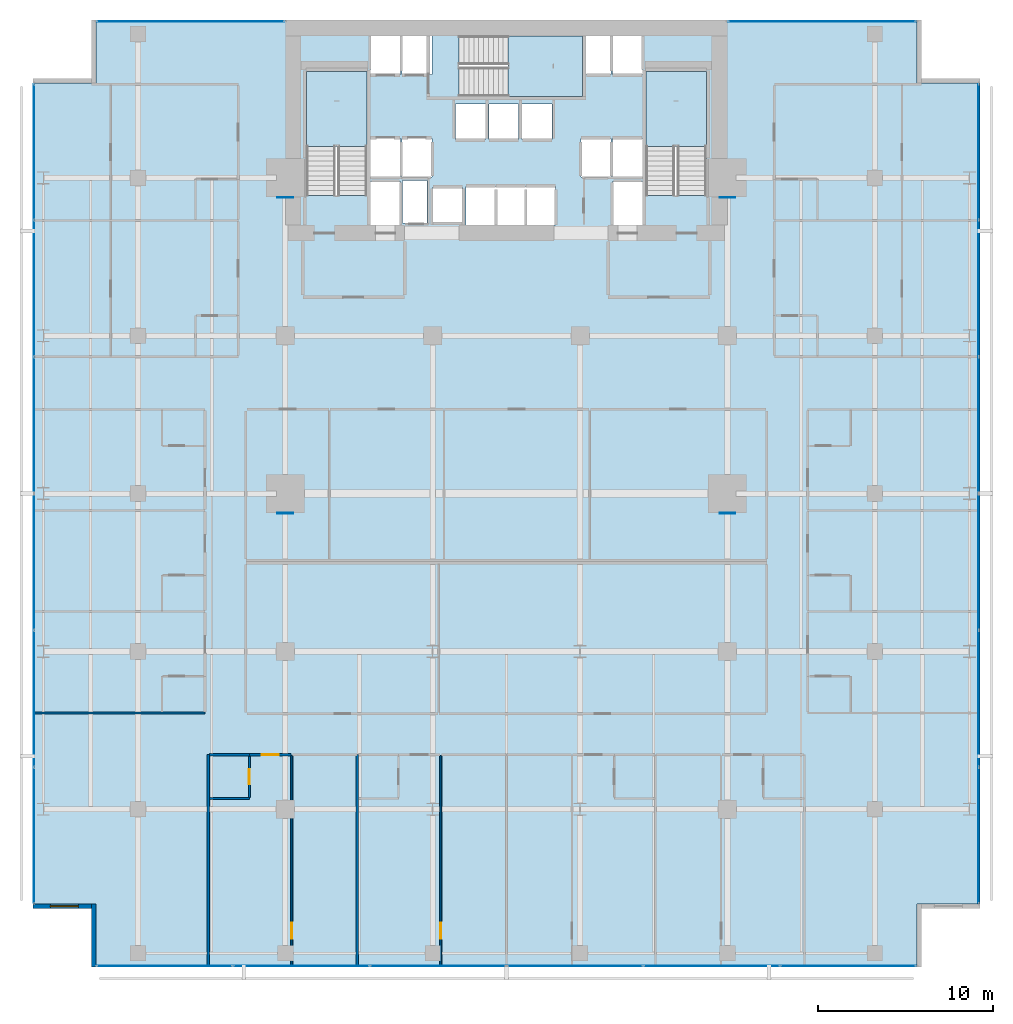
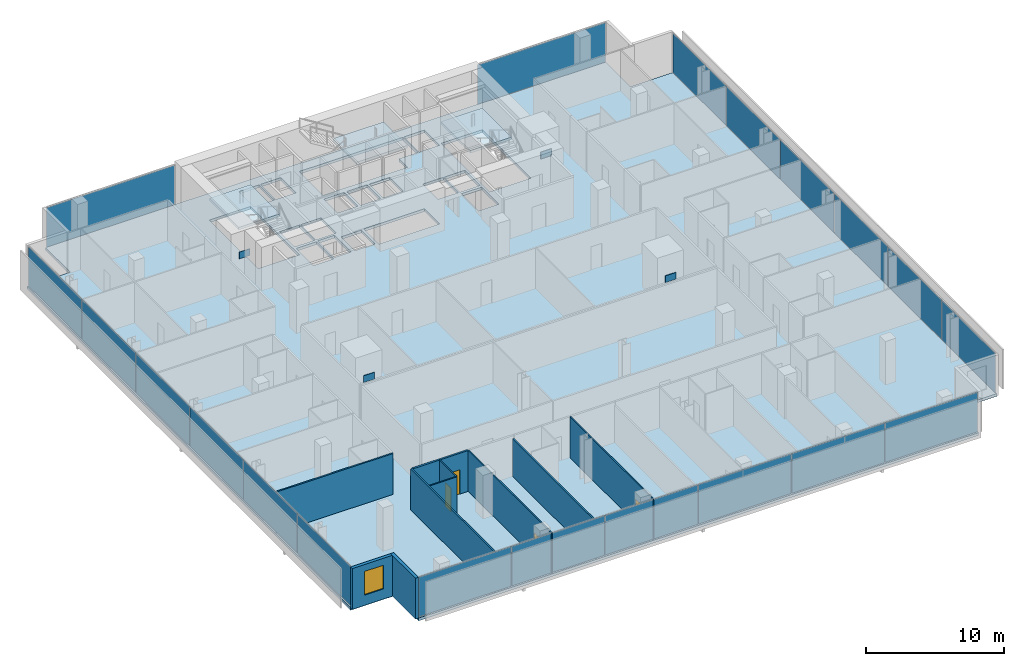
# One storey, part 32 of 40: 24 plates, 11 walls, 4 doors, 4 slabs, 1 window, 5 openings, 8 elements without a shape of their own.
"""IFC4 building model written with IfcOpenShell, lengths in metres."""

from ifc_helpers import new_model, si_unit, direction, frame, frame_2d, origin, origin_2d, place, context, subcontext, project, spatial, polyline, rectangle, outline, extrude, material, layer, layer_set, type_object, element, fill, aggregate, save


model = new_model("IFC4")

# Units and contexts
model_context = context("Model", 3, precision=1e-05, world=origin(), true_north=direction((0.0, 1.0)))
body_context = subcontext(model_context, "Body", "Model", "MODEL_VIEW")
ifc_project = project(units=[si_unit("LENGTHUNIT", "METRE"), si_unit("AREAUNIT", "SQUARE_METRE"), si_unit("VOLUMEUNIT", "CUBIC_METRE"), si_unit("PLANEANGLEUNIT", "RADIAN"), si_unit("MASSUNIT", "GRAM", prefix="KILO")], contexts=[model_context])

# Site, building, storey
site_placement = place(None, origin())
site = spatial("IfcSite", under=ifc_project, at=site_placement, CompositionType="ELEMENT")
building_placement = place(site_placement, origin())
building = spatial("IfcBuilding", under=site, at=building_placement, Name="Maruvema Waterfront Hotel and Observation Tower", CompositionType="ELEMENT")
storey_placement = place(building_placement, frame((0.0, 0.0, 92.39990234375)))
storey = spatial("IfcBuildingStorey", under=building, at=storey_placement, Name="L22", CompositionType="ELEMENT", Elevation=92.39990234375)

# Slab
ifc_material_1 = material(Name="Concrete C50/60", Category="concrete")
ifc_layer_1 = layer(ifc_material_1, 0.239990234375, Name="Reinforced Concrete Floor Slab 240 mm")
ifc_layer_set_1 = layer_set([ifc_layer_1], Name="Concrete C50/60")
slab_type_1 = type_object("IfcSlabType", Name="Reinforced Concrete Floor Slab 240 mm", PredefinedType="FLOOR", material=ifc_layer_set_1)
slab_1_placement = place(storey_placement, frame((0.0, 0.0, -0.239990234375)))
element("IfcSlab", 1, at=slab_1_placement, inside=storey, type_object=slab_type_1, Name="L22 Structural Floor Slab", PredefinedType="FLOOR", context=body_context, shape_type="SweptSolid", body=[
    extrude(outline(polyline([(14.39990234375, 0.0), (61.199951171875, 0.0), (61.199951171875, 3.60009765625), (64.800048828125, 3.60009765625), (64.800048828125, 50.39990234375), (61.199951171875, 50.39990234375), (61.199951171875, 54.0), (14.39990234375, 54.0), (14.39990234375, 50.39990234375), (10.800048828125, 50.39990234375), (10.800048828125, 3.60009765625), (14.39990234375, 3.60009765625), (14.39990234375, 0.0)]), holes=[polyline([(26.39990234375, 44.00048828125), (26.39990234375, 51.050048828125), (29.85009765625, 51.050048828125), (29.85009765625, 44.00048828125), (26.39990234375, 44.00048828125)]), polyline([(30.050048828125, 44.800048828125), (31.75, 44.800048828125), (31.75, 42.320068359375), (30.050048828125, 42.320068359375), (30.050048828125, 44.800048828125)]), polyline([(31.75, 47.25), (31.75, 45.050048828125), (30.050048828125, 45.050048828125), (30.050048828125, 47.25), (31.75, 47.25)]), polyline([(31.75, 53.10009765625), (31.75, 50.89990234375), (30.050048828125, 50.89990234375), (30.050048828125, 53.10009765625), (31.75, 53.10009765625)]), polyline([(33.280029296875, 44.860107421875), (33.280029296875, 42.43994140625), (31.8798828125, 42.43994140625), (31.8798828125, 44.860107421875), (33.280029296875, 44.860107421875)]), polyline([(31.85009765625, 47.25), (33.550048828125, 47.25), (33.550048828125, 45.050048828125), (31.85009765625, 45.050048828125), (31.85009765625, 47.25)]), polyline([(31.85009765625, 53.10009765625), (33.550048828125, 53.10009765625), (33.550048828125, 50.89990234375), (31.85009765625, 50.89990234375), (31.85009765625, 53.10009765625)]), polyline([(33.60009765625, 44.449951171875), (35.300048828125, 44.449951171875), (35.300048828125, 42.449951171875), (33.60009765625, 42.449951171875), (33.60009765625, 44.449951171875)]), polyline([(34.89990234375, 49.199951171875), (36.60009765625, 49.199951171875), (36.60009765625, 47.199951171875), (34.89990234375, 47.199951171875), (34.89990234375, 49.199951171875)]), polyline([(38.5, 49.199951171875), (38.5, 47.199951171875), (36.800048828125, 47.199951171875), (36.800048828125, 49.199951171875), (38.5, 49.199951171875)]), polyline([(35.5, 44.5), (40.60009765625, 44.5), (40.60009765625, 42.300048828125), (35.5, 42.300048828125), (35.5, 44.5)]), polyline([(43.75, 50.89990234375), (42.14990234375, 50.89990234375), (42.14990234375, 49.64990234375), (35.1005859375, 49.64990234375), (35.1005859375, 53.10009765625), (43.75, 53.10009765625), (43.75, 50.89990234375)]), polyline([(40.39990234375, 49.199951171875), (40.39990234375, 47.199951171875), (38.699951171875, 47.199951171875), (38.699951171875, 49.199951171875), (40.39990234375, 49.199951171875)]), polyline([(43.75, 47.25), (43.75, 45.050048828125), (42.050048828125, 45.050048828125), (42.050048828125, 47.25), (43.75, 47.25)]), polyline([(45.550048828125, 44.800048828125), (45.550048828125, 42.320068359375), (43.85009765625, 42.320068359375), (43.85009765625, 44.800048828125), (45.550048828125, 44.800048828125)]), polyline([(43.85009765625, 47.25), (45.550048828125, 47.25), (45.550048828125, 45.050048828125), (43.85009765625, 45.050048828125), (43.85009765625, 47.25)]), polyline([(45.550048828125, 53.10009765625), (45.550048828125, 50.89990234375), (43.85009765625, 50.89990234375), (43.85009765625, 53.10009765625), (45.550048828125, 53.10009765625)]), polyline([(45.75, 51.050048828125), (49.199951171875, 51.050048828125), (49.199951171875, 44.00048828125), (45.75, 44.00048828125), (45.75, 51.050048828125)])]), origin(), (0.0, 0.0, 1.0), 0.239990234375),
])

# Curtain wall, plates
ifc_material_2 = material(Name="Anodised bronze aluminium and solar-control low-E IGU", Category="aluminium")
ifc_layer_2 = layer(ifc_material_2, 0.159912109375, Name="Zone 1 Bronze Inner Thermal Curtain Wall System CW-02")
ifc_layer_set_2 = layer_set([ifc_layer_2], Name="Anodised bronze aluminium and solar-control low-E IGU")
curtain_wall_type = type_object("IfcCurtainWallType", Name="Zone 1 Bronze Inner Thermal Curtain Wall System CW-02", PredefinedType="USERDEFINED", material=ifc_layer_set_2)
curtain_wall_1_placement = place(storey_placement, origin())
curtain_wall_1 = element("IfcCurtainWall", 2, at=curtain_wall_1_placement, inside=storey, type_object=curtain_wall_type, Name="L22 Curtain Wall CW-L22-S", ObjectType="UNITISED CURTAIN WALL", PredefinedType="USERDEFINED")
ifc_material_3 = material(Name="Laminated low-E solar-control double glazing", Category="glass")
ifc_layer_3 = layer(ifc_material_3, 0.035888671875, Name="Solar Control Double-Glazed Curtain Panel 36 mm")
ifc_layer_set_3 = layer_set([ifc_layer_3], Name="Laminated low-E solar-control double glazing")
plate_type_1 = type_object("IfcPlateType", Name="Solar Control Double-Glazed Curtain Panel 36 mm", PredefinedType="CURTAIN_PANEL", material=ifc_layer_set_3)
plate_1_placement = place(storey_placement, frame((18.31494140625, 0.080078125, 0.06005859375), z_axis=(0.0, 0.0, 1.0), x_axis=(1.0, 0.0, 0.0)))
plate_1 = element("IfcPlate", 3, at=plate_1_placement, type_object=plate_type_1, Name="CW-02 panel 1.1", PredefinedType="CURTAIN_PANEL", context=body_context, shape_type="SweptSolid", body=[
    extrude(rectangle(XDim=7.7099609375, YDim=0.028076171875, at=origin_2d()), origin(), (0.0, 0.0, 1.0), 3.489990234375),
])
plate_2_placement = place(storey_placement, frame((26.10009765625, 0.080078125, 0.06005859375), z_axis=(0.0, 0.0, 1.0), x_axis=(1.0, 0.0, 0.0)))
plate_2 = element("IfcPlate", 4, at=plate_2_placement, type_object=plate_type_1, Name="CW-02 panel 2.1", PredefinedType="CURTAIN_PANEL", context=body_context, shape_type="SweptSolid", body=[
    extrude(rectangle(XDim=7.739990234375, YDim=0.028076171875, at=origin_2d()), origin(), (0.0, 0.0, 1.0), 3.489990234375),
])
plate_3_placement = place(storey_placement, frame((33.89990234375, 0.080078125, 0.06005859375), z_axis=(0.0, 0.0, 1.0), x_axis=(1.0, 0.0, 0.0)))
plate_3 = element("IfcPlate", 5, at=plate_3_placement, type_object=plate_type_1, Name="CW-02 panel 3.1", PredefinedType="CURTAIN_PANEL", context=body_context, shape_type="SweptSolid", body=[
    extrude(rectangle(XDim=7.739990234375, YDim=0.028076171875, at=origin_2d()), origin(), (0.0, 0.0, 1.0), 3.489990234375),
])
plate_4_placement = place(storey_placement, frame((41.699951171875, 0.080078125, 0.06005859375), z_axis=(0.0, 0.0, 1.0), x_axis=(1.0, 0.0, 0.0)))
plate_4 = element("IfcPlate", 6, at=plate_4_placement, type_object=plate_type_1, Name="CW-02 panel 4.1", PredefinedType="CURTAIN_PANEL", context=body_context, shape_type="SweptSolid", body=[
    extrude(rectangle(XDim=7.739990234375, YDim=0.028076171875, at=origin_2d()), origin(), (0.0, 0.0, 1.0), 3.489990234375),
])
plate_5_placement = place(storey_placement, frame((49.5, 0.080078125, 0.06005859375), z_axis=(0.0, 0.0, 1.0), x_axis=(1.0, 0.0, 0.0)))
plate_5 = element("IfcPlate", 7, at=plate_5_placement, type_object=plate_type_1, Name="CW-02 panel 5.1", PredefinedType="CURTAIN_PANEL", context=body_context, shape_type="SweptSolid", body=[
    extrude(rectangle(XDim=7.739990234375, YDim=0.028076171875, at=origin_2d()), origin(), (0.0, 0.0, 1.0), 3.489990234375),
])
plate_6_placement = place(storey_placement, frame((57.284912109375, 0.080078125, 0.06005859375), z_axis=(0.0, 0.0, 1.0), x_axis=(1.0, 0.0, 0.0)))
plate_6 = element("IfcPlate", 8, at=plate_6_placement, type_object=plate_type_1, Name="CW-02 panel 6.1", PredefinedType="CURTAIN_PANEL", context=body_context, shape_type="SweptSolid", body=[
    extrude(rectangle(XDim=7.7099609375, YDim=0.028076171875, at=origin_2d()), origin(), (0.0, 0.0, 1.0), 3.489990234375),
])
aggregate(curtain_wall_1, [plate_1, plate_2, plate_3, plate_4, plate_5, plate_6])

curtain_wall_2_placement = place(storey_placement, origin())
curtain_wall_2 = element("IfcCurtainWall", 9, at=curtain_wall_2_placement, inside=storey, type_object=curtain_wall_type, Name="L22 Curtain Wall CW-L22-E", ObjectType="UNITISED CURTAIN WALL", PredefinedType="USERDEFINED")
plate_7_placement = place(storey_placement, frame((64.719970703125, 7.514892578125, 0.06005859375), z_axis=(0.0, 0.0, 1.0), x_axis=(0.0, 1.0, 0.0)))
plate_7 = element("IfcPlate", 10, at=plate_7_placement, type_object=plate_type_1, Name="CW-02 panel 1.1", PredefinedType="CURTAIN_PANEL", context=body_context, shape_type="SweptSolid", body=[
    extrude(rectangle(XDim=7.7099609375, YDim=0.028076171875, at=origin_2d()), origin(), (0.0, 0.0, 1.0), 3.489990234375),
])
plate_8_placement = place(storey_placement, frame((64.719970703125, 15.300048828125, 0.06005859375), z_axis=(0.0, 0.0, 1.0), x_axis=(0.0, 1.0, 0.0)))
plate_8 = element("IfcPlate", 11, at=plate_8_placement, type_object=plate_type_1, Name="CW-02 panel 2.1", PredefinedType="CURTAIN_PANEL", context=body_context, shape_type="SweptSolid", body=[
    extrude(rectangle(XDim=7.739990234375, YDim=0.028076171875, at=origin_2d()), origin(), (0.0, 0.0, 1.0), 3.489990234375),
])
plate_9_placement = place(storey_placement, frame((64.719970703125, 23.10009765625, 0.06005859375), z_axis=(0.0, 0.0, 1.0), x_axis=(0.0, 1.0, 0.0)))
plate_9 = element("IfcPlate", 12, at=plate_9_placement, type_object=plate_type_1, Name="CW-02 panel 3.1", PredefinedType="CURTAIN_PANEL", context=body_context, shape_type="SweptSolid", body=[
    extrude(rectangle(XDim=7.739990234375, YDim=0.028076171875, at=origin_2d()), origin(), (0.0, 0.0, 1.0), 3.489990234375),
])
plate_10_placement = place(storey_placement, frame((64.719970703125, 30.89990234375, 0.06005859375), z_axis=(0.0, 0.0, 1.0), x_axis=(0.0, 1.0, 0.0)))
plate_10 = element("IfcPlate", 13, at=plate_10_placement, type_object=plate_type_1, Name="CW-02 panel 4.1", PredefinedType="CURTAIN_PANEL", context=body_context, shape_type="SweptSolid", body=[
    extrude(rectangle(XDim=7.739990234375, YDim=0.028076171875, at=origin_2d()), origin(), (0.0, 0.0, 1.0), 3.489990234375),
])
plate_11_placement = place(storey_placement, frame((64.719970703125, 38.699951171875, 0.06005859375), z_axis=(0.0, 0.0, 1.0), x_axis=(0.0, 1.0, 0.0)))
plate_11 = element("IfcPlate", 14, at=plate_11_placement, type_object=plate_type_1, Name="CW-02 panel 5.1", PredefinedType="CURTAIN_PANEL", context=body_context, shape_type="SweptSolid", body=[
    extrude(rectangle(XDim=7.739990234375, YDim=0.028076171875, at=origin_2d()), origin(), (0.0, 0.0, 1.0), 3.489990234375),
])
plate_12_placement = place(storey_placement, frame((64.719970703125, 46.485107421875, 0.06005859375), z_axis=(0.0, 0.0, 1.0), x_axis=(0.0, 1.0, 0.0)))
plate_12 = element("IfcPlate", 15, at=plate_12_placement, type_object=plate_type_1, Name="CW-02 panel 6.1", PredefinedType="CURTAIN_PANEL", context=body_context, shape_type="SweptSolid", body=[
    extrude(rectangle(XDim=7.7099609375, YDim=0.028076171875, at=origin_2d()), origin(), (0.0, 0.0, 1.0), 3.489990234375),
])
aggregate(curtain_wall_2, [plate_7, plate_8, plate_9, plate_10, plate_11, plate_12])

curtain_wall_3_placement = place(storey_placement, origin())
curtain_wall_3 = element("IfcCurtainWall", 16, at=curtain_wall_3_placement, inside=storey, type_object=curtain_wall_type, Name="L22 Curtain Wall CW-L22-W", ObjectType="UNITISED CURTAIN WALL", PredefinedType="USERDEFINED")
plate_13_placement = place(storey_placement, frame((10.8798828125, 46.485107421875, 0.06005859375), z_axis=(0.0, 0.0, 1.0), x_axis=(0.0, -1.0, 0.0)))
plate_13 = element("IfcPlate", 17, at=plate_13_placement, type_object=plate_type_1, Name="CW-02 panel 1.1", PredefinedType="CURTAIN_PANEL", context=body_context, shape_type="SweptSolid", body=[
    extrude(rectangle(XDim=7.7099609375, YDim=0.028076171875, at=origin_2d()), origin(), (0.0, 0.0, 1.0), 3.489990234375),
])
plate_14_placement = place(storey_placement, frame((10.8798828125, 38.699951171875, 0.06005859375), z_axis=(0.0, 0.0, 1.0), x_axis=(0.0, -1.0, 0.0)))
plate_14 = element("IfcPlate", 18, at=plate_14_placement, type_object=plate_type_1, Name="CW-02 panel 2.1", PredefinedType="CURTAIN_PANEL", context=body_context, shape_type="SweptSolid", body=[
    extrude(rectangle(XDim=7.739990234375, YDim=0.028076171875, at=origin_2d()), origin(), (0.0, 0.0, 1.0), 3.489990234375),
])
plate_15_placement = place(storey_placement, frame((10.8798828125, 30.89990234375, 0.06005859375), z_axis=(0.0, 0.0, 1.0), x_axis=(0.0, -1.0, 0.0)))
plate_15 = element("IfcPlate", 19, at=plate_15_placement, type_object=plate_type_1, Name="CW-02 panel 3.1", PredefinedType="CURTAIN_PANEL", context=body_context, shape_type="SweptSolid", body=[
    extrude(rectangle(XDim=7.739990234375, YDim=0.028076171875, at=origin_2d()), origin(), (0.0, 0.0, 1.0), 3.489990234375),
])
plate_16_placement = place(storey_placement, frame((10.8798828125, 23.10009765625, 0.06005859375), z_axis=(0.0, 0.0, 1.0), x_axis=(0.0, -1.0, 0.0)))
plate_16 = element("IfcPlate", 20, at=plate_16_placement, type_object=plate_type_1, Name="CW-02 panel 4.1", PredefinedType="CURTAIN_PANEL", context=body_context, shape_type="SweptSolid", body=[
    extrude(rectangle(XDim=7.739990234375, YDim=0.028076171875, at=origin_2d()), origin(), (0.0, 0.0, 1.0), 3.489990234375),
])
plate_17_placement = place(storey_placement, frame((10.8798828125, 15.300048828125, 0.06005859375), z_axis=(0.0, 0.0, 1.0), x_axis=(0.0, -1.0, 0.0)))
plate_17 = element("IfcPlate", 21, at=plate_17_placement, type_object=plate_type_1, Name="CW-02 panel 5.1", PredefinedType="CURTAIN_PANEL", context=body_context, shape_type="SweptSolid", body=[
    extrude(rectangle(XDim=7.739990234375, YDim=0.028076171875, at=origin_2d()), origin(), (0.0, 0.0, 1.0), 3.489990234375),
])
plate_18_placement = place(storey_placement, frame((10.8798828125, 7.514892578125, 0.06005859375), z_axis=(0.0, 0.0, 1.0), x_axis=(0.0, -1.0, 0.0)))
plate_18 = element("IfcPlate", 22, at=plate_18_placement, type_object=plate_type_1, Name="CW-02 panel 6.1", PredefinedType="CURTAIN_PANEL", context=body_context, shape_type="SweptSolid", body=[
    extrude(rectangle(XDim=7.7099609375, YDim=0.028076171875, at=origin_2d()), origin(), (0.0, 0.0, 1.0), 3.489990234375),
])
aggregate(curtain_wall_3, [plate_13, plate_14, plate_15, plate_16, plate_17, plate_18])

# Curtain wall, plate
curtain_wall_4_placement = place(storey_placement, origin())
curtain_wall_4 = element("IfcCurtainWall", 23, at=curtain_wall_4_placement, inside=storey, type_object=curtain_wall_type, Name="L22 Curtain Wall CW-L22-NW", ObjectType="UNITISED CURTAIN WALL", PredefinedType="USERDEFINED")
plate_19_placement = place(storey_placement, frame((19.800048828125, 53.919921875, 0.06005859375), z_axis=(0.0, 0.0, 1.0), x_axis=(-1.0, 0.0, 0.0)))
plate_19 = element("IfcPlate", 24, at=plate_19_placement, type_object=plate_type_1, Name="CW-02 panel 1.1", PredefinedType="CURTAIN_PANEL", context=body_context, shape_type="SweptSolid", body=[
    extrude(rectangle(XDim=10.679931640625, YDim=0.028076171875, at=origin_2d()), origin(), (0.0, 0.0, 1.0), 3.489990234375),
])
aggregate(curtain_wall_4, [plate_19])

curtain_wall_5_placement = place(storey_placement, origin())
curtain_wall_5 = element("IfcCurtainWall", 25, at=curtain_wall_5_placement, inside=storey, type_object=curtain_wall_type, Name="L22 Curtain Wall CW-L22-NE", ObjectType="UNITISED CURTAIN WALL", PredefinedType="USERDEFINED")
plate_20_placement = place(storey_placement, frame((55.800048828125, 53.919921875, 0.06005859375), z_axis=(0.0, 0.0, 1.0), x_axis=(-1.0, 0.0, 0.0)))
plate_20 = element("IfcPlate", 26, at=plate_20_placement, type_object=plate_type_1, Name="CW-02 panel 1.1", PredefinedType="CURTAIN_PANEL", context=body_context, shape_type="SweptSolid", body=[
    extrude(rectangle(XDim=10.679931640625, YDim=0.028076171875, at=origin_2d()), origin(), (0.0, 0.0, 1.0), 3.489990234375),
])
aggregate(curtain_wall_5, [plate_20])

# Stair, slab
ifc_material_4 = material(Name="Concrete C50/60", Category="concrete")
stair_type = type_object("IfcStairType", Name="Dogleg Exit Stair 1650 mm (22R x 175.0 mm)", PredefinedType="HALF_TURN_STAIR", material=ifc_material_4)
stair_1_placement = place(storey_placement, origin())
stair_1 = element("IfcStair", 27, at=stair_1_placement, inside=storey, type_object=stair_type, Name="L22 ST-01", PredefinedType="HALF_TURN_STAIR")
ifc_material_5 = material(Name="Concrete C50/60", Category="concrete")
ifc_layer_4 = layer(ifc_material_5, 0.219970703125, Name="Stair Concrete Landing Slab 220 mm")
ifc_layer_set_4 = layer_set([ifc_layer_4], Name="Concrete C50/60")
slab_type_2 = type_object("IfcSlabType", Name="Stair Concrete Landing Slab 220 mm", PredefinedType="LANDING", material=ifc_layer_set_4)
slab_2_placement = place(storey_placement, frame((0.0, 0.0, 1.705078125)))
slab_2 = element("IfcSlab", 28, at=slab_2_placement, type_object=slab_type_2, Name="ST-01 landing 1", PredefinedType="LANDING", context=body_context, shape_type="SweptSolid", body=[
    extrude(outline(polyline([(29.85009765625, 46.800048828125), (29.85009765625, 51.050048828125), (26.39990234375, 51.050048828125), (26.39990234375, 46.800048828125), (29.85009765625, 46.800048828125)])), origin(), (0.0, 0.0, 1.0), 0.219970703125),
])
aggregate(stair_1, [slab_2])

stair_2_placement = place(storey_placement, origin())
stair_2 = element("IfcStair", 29, at=stair_2_placement, inside=storey, type_object=stair_type, Name="L22 ST-02", PredefinedType="HALF_TURN_STAIR")
slab_3_placement = place(storey_placement, frame((0.0, 0.0, 1.705078125)))
slab_3 = element("IfcSlab", 30, at=slab_3_placement, type_object=slab_type_2, Name="ST-02 landing 1", PredefinedType="LANDING", context=body_context, shape_type="SweptSolid", body=[
    extrude(outline(polyline([(37.89990234375, 49.64990234375), (42.14990234375, 49.64990234375), (42.14990234375, 53.10009765625), (37.89990234375, 53.10009765625), (37.89990234375, 49.64990234375)])), origin(), (0.0, 0.0, 1.0), 0.219970703125),
])
aggregate(stair_2, [slab_3])

stair_3_placement = place(storey_placement, origin())
stair_3 = element("IfcStair", 31, at=stair_3_placement, inside=storey, type_object=stair_type, Name="L22 ST-03", PredefinedType="HALF_TURN_STAIR")
slab_4_placement = place(storey_placement, frame((0.0, 0.0, 1.705078125)))
slab_4 = element("IfcSlab", 32, at=slab_4_placement, type_object=slab_type_2, Name="ST-03 landing 1", PredefinedType="LANDING", context=body_context, shape_type="SweptSolid", body=[
    extrude(outline(polyline([(49.199951171875, 46.800048828125), (49.199951171875, 51.050048828125), (45.75, 51.050048828125), (45.75, 46.800048828125), (49.199951171875, 46.800048828125)])), origin(), (0.0, 0.0, 1.0), 0.219970703125),
])
aggregate(stair_3, [slab_4])

# Plates
ifc_material_6 = material(Name="Steel ABNT NBR 7007 AR 415 (ASTM A572 Grade 50)", Category="steel")
ifc_layer_5 = layer(ifc_material_6, 0.0400390625, Name="Structural Truss Node Gusset Plate 40 mm")
ifc_layer_set_5 = layer_set([ifc_layer_5], Name="Steel ABNT NBR 7007 AR 415 (ASTM A572 Grade 50)")
plate_type_2 = type_object("IfcPlateType", Name="Structural Truss Node Gusset Plate 40 mm", PredefinedType="USERDEFINED", material=ifc_layer_set_5)
for number, where, z_axis, x_axis, name in (
    (33, (25.199951171875, 25.8798828125, 1.5), (0.0, 0.0, 1.0), (1.0, 0.0, 0.0), "L22 MC-01 Moment Frame Continuity Gusset Plate"),
    (34, (50.39990234375, 25.8798828125, 1.5), (0.0, 0.0, 1.0), (1.0, 0.0, 0.0), "L22 MC-02 Moment Frame Continuity Gusset Plate"),
    (35, (25.199951171875, 43.8798828125, 1.5), (0.0, 0.0, 1.0), (1.0, 0.0, 0.0), "L22 MC-03 Moment Frame Continuity Gusset Plate"),
    (36, (50.39990234375, 43.8798828125, 1.5), (0.0, 0.0, 1.0), (1.0, 0.0, 0.0), "L22 MC-04 Moment Frame Continuity Gusset Plate"),
):
    element("IfcPlate", number, at=place(storey_placement, frame(where, z_axis=z_axis, x_axis=x_axis)), inside=storey, type_object=plate_type_2, Name=name, ObjectType="GUSSET_PLATE", PredefinedType="USERDEFINED", context=body_context, shape_type="SweptSolid", body=[
        extrude(rectangle(XDim=0.89990234375, YDim=0.0400390625, at=origin_2d()), origin(), (0.0, 0.0, 1.0), 0.60009765625),
    ])

# Wall
ifc_material_7 = material(Name="Twin-stud acoustic gypsum drywall", Category="gypsum")
ifc_layer_6 = layer(ifc_material_7, 0.14990234375, Name="Acoustic Corridor and Suite Demising Wall 150 mm")
ifc_layer_set_6 = layer_set([ifc_layer_6], Name="Twin-stud acoustic gypsum drywall")
wall_type_1 = type_object("IfcWallType", Name="Acoustic Corridor and Suite Demising Wall 150 mm", PredefinedType="PARTITIONING", material=ifc_layer_set_6)
wall_1_placement = place(storey_placement, frame((20.8798828125, 12.1201171875, 0.0), z_axis=(0.0, 0.0, 1.0), x_axis=(1.0, 0.0, 0.0)))
element("IfcWall", 37, at=wall_1_placement, inside=storey, type_object=wall_type_1, Name="L22 Bath L22-S1 Back Wall 030", PredefinedType="PARTITIONING", context=body_context, shape_type="SweptSolid", body=[
    extrude(rectangle(XDim=2.27001953125, YDim=0.14990234375, at=frame_2d((1.135009765625, 0.0))), origin(), (0.0, 0.0, 1.0), 3.610107421875),
])

# Wall, opening, door
wall_2_placement = place(storey_placement, frame((23.14990234375, 12.1201171875, 0.0), z_axis=(0.0, 0.0, 1.0), x_axis=(1.0, 0.0, 0.0)))
wall_2 = element("IfcWall", 38, at=wall_2_placement, inside=storey, type_object=wall_type_1, Name="L22 Unit L22-S1 Corridor Wall 033", PredefinedType="PARTITIONING", context=body_context, shape_type="SweptSolid", body=[
    extrude(rectangle(XDim=2.3701171875, YDim=0.14990234375, at=frame_2d((1.18505859375, 0.0))), origin(), (0.0, 0.0, 1.0), 3.610107421875),
])
opening_1_placement = place(wall_2_placement, frame((0.7099609375, 0.0, 0.0)))
opening_1 = element("IfcOpeningElement", 39, at=opening_1_placement, cuts=wall_2, Name="Opening DR-095", PredefinedType="OPENING", context=body_context, shape_type="SweptSolid", body=[
    extrude(rectangle(XDim=0.949951171875, YDim=2.14990234375, at=frame_2d((0.47509765625, 1.074951171875))), frame((0.0, 0.0849609375, 0.0), z_axis=(0.0, -1.0, 0.0), x_axis=(1.0, 0.0, 0.0)), (0.0, 0.0, 1.0), 0.169921875),
])
ifc_material_8 = material(Name="Acoustic solid-core hardwood timber leaf", Category="wood")
door_type_1 = type_object("IfcDoorType", Name="Guestroom Entrance Fire Door 950x2150 mm", OperationType="NOTDEFINED", PredefinedType="DOOR", material=ifc_material_8)
door_1_placement = place(opening_1_placement, frame((0.949951171875, 0.0, 0.0), z_axis=(0.0, 0.0, 1.0), x_axis=(-1.0, 0.0, 0.0)))
door_1 = element("IfcDoor", 40, at=door_1_placement, inside=storey, type_object=door_type_1, Name="L22 Unit L22-S1 Entrance Door", OperationType="SINGLE_SWING_RIGHT", OverallHeight=2.14990234375, OverallWidth=0.949951171875, PredefinedType="DOOR", context=body_context, shape_type="SweptSolid", body=[
    extrude(rectangle(XDim=0.949951171875, YDim=2.14990234375, at=frame_2d((0.47509765625, 1.074951171875))), frame((0.0, 0.02490234375, 0.0), z_axis=(0.0, -1.0, 0.0), x_axis=(1.0, 0.0, 0.0)), (0.0, 0.0, 1.0), 0.050048828125),
])
fill(opening_1, door_1)

# Wall
ifc_material_9 = material(Name="Moisture-resistant cement-board drywall", Category="gypsum")
ifc_layer_7 = layer(ifc_material_9, 0.10009765625, Name="En-Suite Moisture-Resistant Partition 100 mm")
ifc_layer_set_7 = layer_set([ifc_layer_7], Name="Moisture-resistant cement-board drywall")
wall_type_2 = type_object("IfcWallType", Name="En-Suite Moisture-Resistant Partition 100 mm", PredefinedType="PARTITIONING", material=ifc_layer_set_7)
wall_3_placement = place(storey_placement, frame((20.8798828125, 9.6201171875, 0.0), z_axis=(0.0, 0.0, 1.0), x_axis=(1.0, 0.0, 0.0)))
element("IfcWall", 41, at=wall_3_placement, inside=storey, type_object=wall_type_2, Name="L22 En-Suite L22-S1 South 031", PredefinedType="PARTITIONING", context=body_context, shape_type="SweptSolid", body=[
    extrude(rectangle(XDim=2.27001953125, YDim=0.10009765625, at=frame_2d((1.135009765625, 0.0))), origin(), (0.0, 0.0, 1.0), 3.610107421875),
])

# Wall, opening, door
wall_4_placement = place(storey_placement, frame((23.14990234375, 9.679931640625, 0.0), z_axis=(0.0, 0.0, 1.0), x_axis=(0.0, 1.0, 0.0)))
wall_4 = element("IfcWall", 42, at=wall_4_placement, inside=storey, type_object=wall_type_2, Name="L22 En-Suite L22-S1 East 032", PredefinedType="PARTITIONING", context=body_context, shape_type="SweptSolid", body=[
    extrude(rectangle(XDim=2.340087890625, YDim=0.10009765625, at=frame_2d((1.169921875, 0.0))), origin(), (0.0, 0.0, 1.0), 3.610107421875),
])
opening_2_placement = place(wall_4_placement, frame((0.7451171875, 0.0, 0.0)))
opening_2 = element("IfcOpeningElement", 43, at=opening_2_placement, cuts=wall_4, Name="Opening DR-085", PredefinedType="OPENING", context=body_context, shape_type="SweptSolid", body=[
    extrude(rectangle(XDim=0.85009765625, YDim=2.10009765625, at=frame_2d((0.425048828125, 1.050048828125))), frame((0.0, 0.06005859375, 0.0), z_axis=(0.0, -1.0, 0.0), x_axis=(1.0, 0.0, 0.0)), (0.0, 0.0, 1.0), 0.1201171875),
])
ifc_material_10 = material(Name="Moisture-resistant solid timber leaf", Category="wood")
door_type_2 = type_object("IfcDoorType", Name="En-Suite Bathroom Door 850x2100 mm", OperationType="NOTDEFINED", PredefinedType="DOOR", material=ifc_material_10)
door_2_placement = place(opening_2_placement, frame((0.85009765625, 0.0, 0.0), z_axis=(0.0, 0.0, 1.0), x_axis=(-1.0, 0.0, 0.0)))
door_2 = element("IfcDoor", 44, at=door_2_placement, inside=storey, type_object=door_type_2, Name="L22 En-Suite L22-S1 Door", OperationType="SINGLE_SWING_LEFT", OverallHeight=2.10009765625, OverallWidth=0.85009765625, PredefinedType="DOOR", context=body_context, shape_type="SweptSolid", body=[
    extrude(rectangle(XDim=0.85009765625, YDim=2.10009765625, at=frame_2d((0.425048828125, 1.050048828125))), frame((0.0, 0.02490234375, 0.0), z_axis=(0.0, -1.0, 0.0), x_axis=(1.0, 0.0, 0.0)), (0.0, 0.0, 1.0), 0.050048828125),
])
fill(opening_2, door_2)

wall_5_placement = place(storey_placement, frame((25.56005859375, 0.030029296875, 0.0), z_axis=(0.0, 0.0, 1.0), x_axis=(0.0, 1.0, 0.0)))
wall_5 = element("IfcWall", 45, at=wall_5_placement, inside=storey, type_object=wall_type_2, Name="L22 Suite L22-S1 Split 035", PredefinedType="PARTITIONING", context=body_context, shape_type="SweptSolid", body=[
    extrude(rectangle(XDim=12.030029296875, YDim=0.10009765625, at=frame_2d((6.01513671875, 0.0))), origin(), (0.0, 0.0, 1.0), 3.610107421875),
])
opening_3_placement = place(wall_5_placement, frame((1.60009765625, 0.0, 0.0)))
opening_3 = element("IfcOpeningElement", 46, at=opening_3_placement, cuts=wall_5, Name="Opening DR-090", PredefinedType="OPENING", context=body_context, shape_type="SweptSolid", body=[
    extrude(rectangle(XDim=0.89990234375, YDim=2.10009765625, at=frame_2d((0.449951171875, 1.050048828125))), frame((0.0, 0.06005859375, 0.0), z_axis=(0.0, -1.0, 0.0), x_axis=(1.0, 0.0, 0.0)), (0.0, 0.0, 1.0), 0.1201171875),
])
ifc_material_11 = material(Name="Solid-core lacquered timber leaf", Category="wood")
door_type_3 = type_object("IfcDoorType", Name="Accessible Toilet and Room Door 900x2100 mm", OperationType="NOTDEFINED", PredefinedType="DOOR", material=ifc_material_11)
door_3_placement = place(opening_3_placement, origin())
door_3 = element("IfcDoor", 47, at=door_3_placement, inside=storey, type_object=door_type_3, Name="L22 Suite L22-S1 Bedroom Door", OperationType="SINGLE_SWING_LEFT", OverallHeight=2.10009765625, OverallWidth=0.89990234375, PredefinedType="DOOR", context=body_context, shape_type="SweptSolid", body=[
    extrude(rectangle(XDim=0.89990234375, YDim=2.10009765625, at=frame_2d((0.449951171875, 1.050048828125))), frame((0.0, 0.02490234375, 0.0), z_axis=(0.0, -1.0, 0.0), x_axis=(1.0, 0.0, 0.0)), (0.0, 0.0, 1.0), 0.050048828125),
])
fill(opening_3, door_3)

wall_6_placement = place(storey_placement, frame((34.06005859375, 0.030029296875, 0.0), z_axis=(0.0, 0.0, 1.0), x_axis=(0.0, 1.0, 0.0)))
wall_6 = element("IfcWall", 48, at=wall_6_placement, inside=storey, type_object=wall_type_2, Name="L22 Suite L22-S2 Split 042", PredefinedType="PARTITIONING", context=body_context, shape_type="SweptSolid", body=[
    extrude(rectangle(XDim=12.030029296875, YDim=0.10009765625, at=frame_2d((6.01513671875, 0.0))), origin(), (0.0, 0.0, 1.0), 3.610107421875),
])
opening_4_placement = place(wall_6_placement, frame((1.60009765625, 0.0, 0.0)))
opening_4 = element("IfcOpeningElement", 49, at=opening_4_placement, cuts=wall_6, Name="Opening DR-090", PredefinedType="OPENING", context=body_context, shape_type="SweptSolid", body=[
    extrude(rectangle(XDim=0.89990234375, YDim=2.10009765625, at=frame_2d((0.449951171875, 1.050048828125))), frame((0.0, 0.06005859375, 0.0), z_axis=(0.0, -1.0, 0.0), x_axis=(1.0, 0.0, 0.0)), (0.0, 0.0, 1.0), 0.1201171875),
])
door_4_placement = place(opening_4_placement, origin())
door_4 = element("IfcDoor", 50, at=door_4_placement, inside=storey, type_object=door_type_3, Name="L22 Suite L22-S2 Bedroom Door", OperationType="SINGLE_SWING_RIGHT", OverallHeight=2.10009765625, OverallWidth=0.89990234375, PredefinedType="DOOR", context=body_context, shape_type="SweptSolid", body=[
    extrude(rectangle(XDim=0.89990234375, YDim=2.10009765625, at=frame_2d((0.449951171875, 1.050048828125))), frame((0.0, 0.02490234375, 0.0), z_axis=(0.0, -1.0, 0.0), x_axis=(1.0, 0.0, 0.0)), (0.0, 0.0, 1.0), 0.050048828125),
])
fill(opening_4, door_4)

# Wall
ifc_material_12 = material(Name="Precast concrete C45/55 with honed Pernambuco granite facing", Category="masonry")
ifc_layer_8 = layer(ifc_material_12, 0.260009765625, Name="Exterior Granite Clad Spandrel and Pier Wall 260 mm")
ifc_layer_set_8 = layer_set([ifc_layer_8], Name="Precast concrete C45/55 with honed Pernambuco granite facing")
wall_type_3 = type_object("IfcWallType", Name="Exterior Granite Clad Spandrel and Pier Wall 260 mm", PredefinedType="SOLIDWALL", material=ifc_layer_set_8)
wall_7_placement = place(storey_placement, frame((14.27001953125, 0.0, 0.0), z_axis=(0.0, 0.0, 1.0), x_axis=(0.0, 1.0, 0.0)))
element("IfcWall", 51, at=wall_7_placement, inside=storey, type_object=wall_type_3, Name="L22 Corner Notch Granite Pier Wall SW1", PredefinedType="SOLIDWALL", context=body_context, shape_type="SweptSolid", body=[
    extrude(rectangle(XDim=3.60009765625, YDim=0.260009765625, at=frame_2d((1.800048828125, 0.0))), origin(), (0.0, 0.0, 1.0), 3.610107421875),
])

# Wall, opening, window
wall_8_placement = place(storey_placement, frame((14.39990234375, 3.469970703125, 0.0), z_axis=(0.0, 0.0, 1.0), x_axis=(-1.0, 0.0, 0.0)))
wall_8 = element("IfcWall", 52, at=wall_8_placement, inside=storey, type_object=wall_type_3, Name="L22 Corner Notch Granite Pier Wall SW2", PredefinedType="SOLIDWALL", context=body_context, shape_type="SweptSolid", body=[
    extrude(rectangle(XDim=3.599853515625, YDim=0.260009765625, at=frame_2d((1.7998046875, 0.0))), origin(), (0.0, 0.0, 1.0), 3.610107421875),
])
opening_5_placement = place(wall_8_placement, frame((1.0, 0.0, 0.89990234375)))
opening_5 = element("IfcOpeningElement", 53, at=opening_5_placement, cuts=wall_8, Name="Opening WN-01", PredefinedType="OPENING", context=body_context, shape_type="SweptSolid", body=[
    extrude(rectangle(XDim=1.60009765625, YDim=2.10009765625, at=frame_2d((0.800048828125, 1.050048828125))), frame((0.0, 0.14013671875, 0.0), z_axis=(0.0, -1.0, 0.0), x_axis=(1.0, 0.0, 0.0)), (0.0, 0.0, 1.0), 0.280029296875),
])
ifc_material_13 = material(Name="Anodised bronze aluminium frame with laminated low-E glass", Category="aluminium")
window_type = type_object("IfcWindowType", Name="Corner Notch Feature Window 1600x2100 mm", PartitioningType="SINGLE_PANEL", PredefinedType="WINDOW", material=ifc_material_13)
window_placement = place(opening_5_placement, origin())
window = element("IfcWindow", 54, at=window_placement, inside=storey, type_object=window_type, Name="L22 Corner Notch Punched Window SW2", OverallHeight=2.10009765625, OverallWidth=1.60009765625, PartitioningType="SINGLE_PANEL", PredefinedType="WINDOW", context=body_context, shape_type="SweptSolid", body=[
    extrude(rectangle(XDim=1.60009765625, YDim=2.10009765625, at=frame_2d((0.800048828125, 1.050048828125))), frame((0.0, 0.030029296875, 0.0), z_axis=(0.0, -1.0, 0.0), x_axis=(1.0, 0.0, 0.0)), (0.0, 0.0, 1.0), 0.06005859375),
])
fill(opening_5, window)

# Walls
ifc_material_14 = material(Name="Acoustic gypsum plasterboard drywall", Category="gypsum")
ifc_layer_9 = layer(ifc_material_14, 0.125, Name="Guestroom Acoustic Demising Wall 125 mm")
ifc_layer_set_9 = layer_set([ifc_layer_9], Name="Acoustic gypsum plasterboard drywall")
wall_type_4 = type_object("IfcWallType", Name="Guestroom Acoustic Demising Wall 125 mm", PredefinedType="PARTITIONING", material=ifc_layer_set_9)
wall_9_placement = place(storey_placement, frame((20.800048828125, 0.10009765625, 0.0), z_axis=(0.0, 0.0, 1.0), x_axis=(0.0, 1.0, 0.0)))
element("IfcWall", 55, at=wall_9_placement, inside=storey, type_object=wall_type_4, Name="L22 S West End 028", PredefinedType="PARTITIONING", context=body_context, shape_type="SweptSolid", body=[
    extrude(rectangle(XDim=12.02001953125, YDim=0.125, at=frame_2d((6.010009765625, 0.0))), origin(), (0.0, 0.0, 1.0), 3.610107421875),
])
wall_10_placement = place(storey_placement, frame((29.300048828125, 0.10009765625, 0.0), z_axis=(0.0, 0.0, 1.0), x_axis=(0.0, 1.0, 0.0)))
element("IfcWall", 56, at=wall_10_placement, inside=storey, type_object=wall_type_4, Name="L22 S Demising 2 036", PredefinedType="PARTITIONING", context=body_context, shape_type="SweptSolid", body=[
    extrude(rectangle(XDim=12.02001953125, YDim=0.125, at=frame_2d((6.010009765625, 0.0))), origin(), (0.0, 0.0, 1.0), 3.293212890625),
])
wall_11_placement = place(storey_placement, frame((10.89990234375, 14.5, 0.0), z_axis=(0.0, 0.0, 1.0), x_axis=(1.0, 0.0, 0.0)))
element("IfcWall", 57, at=wall_11_placement, inside=storey, type_object=wall_type_4, Name="L22 W Bot End 057", PredefinedType="PARTITIONING", context=body_context, shape_type="SweptSolid", body=[
    extrude(rectangle(XDim=9.72021484375, YDim=0.125, at=frame_2d((4.860107421875, 0.0))), origin(), (0.0, 0.0, 1.0), 3.610107421875),
])

save(model, "model.ifc")
